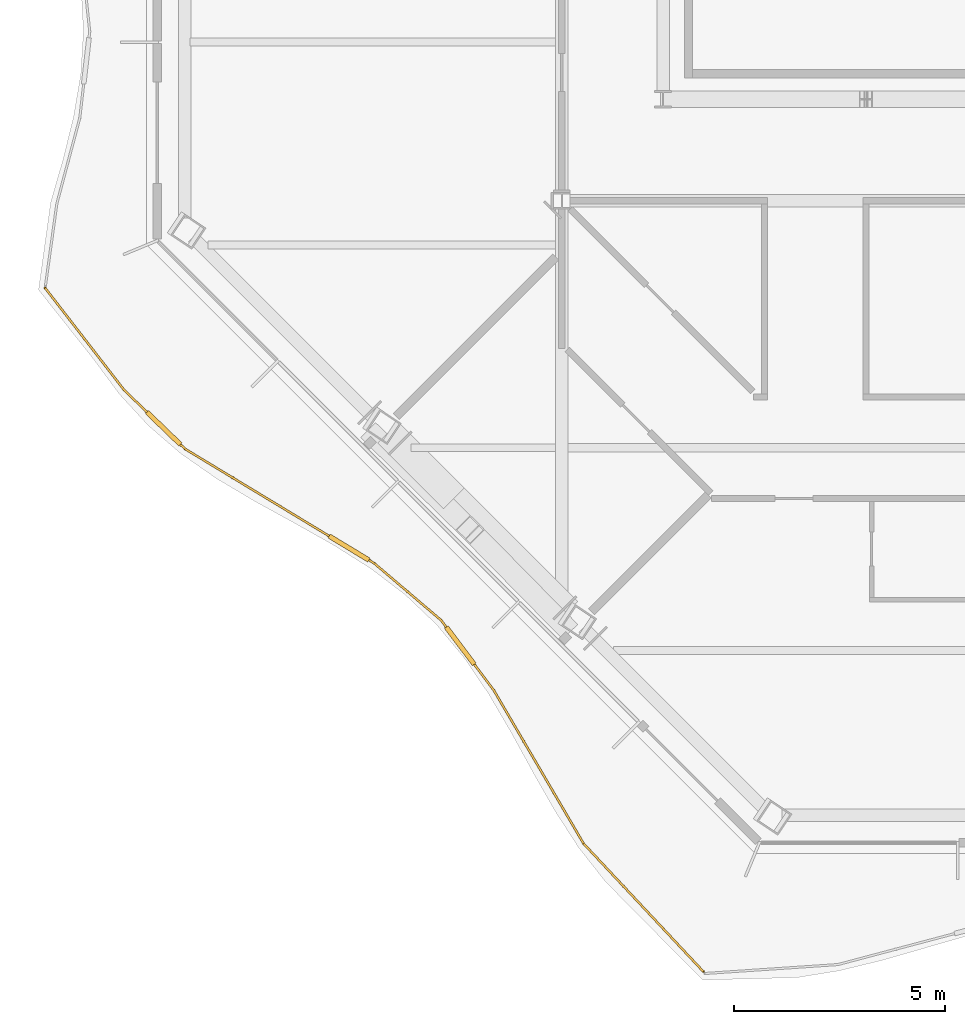
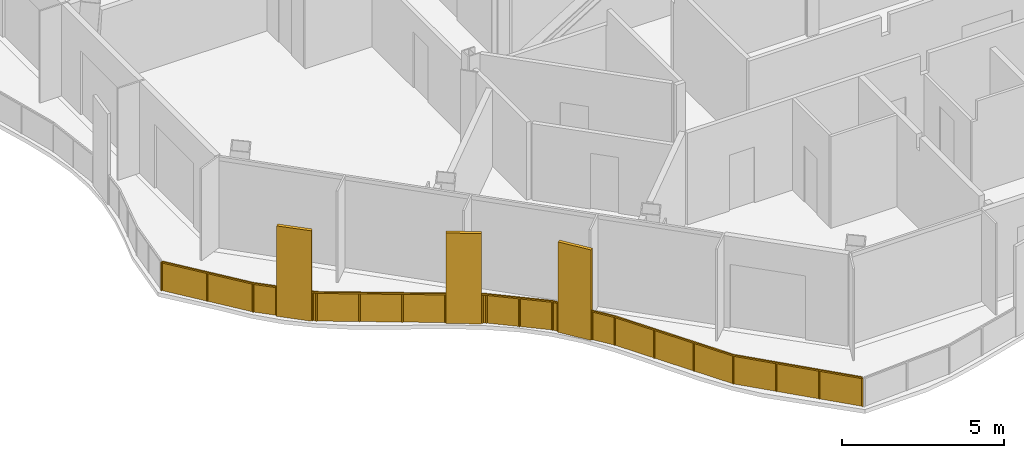
# One storey, part 14 of 19: 1 railing.
"""IFC4 building model written with IfcOpenShell, lengths in metres."""

import ifcopenshell
import ifcopenshell.guid

model = None  # the IFC model being written
_history = None  # IfcOwnerHistory: only IFC2X3 demands one
_inside = {}  # id of a spatial element -> (the spatial element, [elements in it])
_under = {}  # id of a project, library or spatial element -> (it, [spatial elements below it])
_declared = {}  # id of a project -> (the project, [libraries it declares])
_typed = {}  # id of a type object -> (the type object, [elements of that type])
_made_of = {}  # id of a material, layer set ... -> (it, [elements and type objects made of it])


def new_model(schema):
    """Start an empty IFC model of exactly this schema.

    Asked for "IFC4X3", IfcOpenShell would pick the latest addendum, in which some entities
    have other attributes; the version numbers below select the first issue.
    IFC2X3 requires an IfcOwnerHistory on every rooted entity: one is made here for all.
    """
    global model, _history
    if schema == "IFC4X3":
        model = ifcopenshell.file(schema_version=(4, 3, 0, 0))
    else:
        model = ifcopenshell.file(schema=schema)
    _inside.clear()
    _under.clear()
    _declared.clear()
    _typed.clear()
    _made_of.clear()
    _history = None
    if model.schema == "IFC2X3":
        org = make("IfcOrganization", Name="unknown")
        user = make(
            "IfcPersonAndOrganization",
            ThePerson=make("IfcPerson", FamilyName="unknown"),
            TheOrganization=org,
        )
        app = make(
            "IfcApplication",
            ApplicationDeveloper=org,
            Version="unknown",
            ApplicationFullName="unknown",
            ApplicationIdentifier="unknown",
        )
        _history = make(
            "IfcOwnerHistory",
            OwningUser=user,
            OwningApplication=app,
            ChangeAction="ADDED",
            CreationDate=0,
        )
    return model


def make(cls, **values):
    """One entity of the class cls with the attributes given. An attribute that is None is left unset."""
    return model.create_entity(
        cls, **{name: value for name, value in values.items() if value is not None}
    )


def rooted(cls, **values):
    """An entity with a GlobalId (a new one), such as an element, a storey or a relation."""
    return make(cls, GlobalId=ifcopenshell.guid.new(), OwnerHistory=_history, **values)


def si_unit(unit_type, name, prefix=None):
    """IfcSIUnit, for example si_unit("LENGTHUNIT", "METRE", prefix="MILLI")."""
    return make("IfcSIUnit", UnitType=unit_type, Prefix=prefix, Name=name)


def assignment(units):
    """IfcUnitAssignment: the units of a project."""
    return None if units is None else make("IfcUnitAssignment", Units=units)


def point(xyz):
    """IfcCartesianPoint."""
    return None if xyz is None else make("IfcCartesianPoint", Coordinates=xyz)


def direction(xyz):
    """IfcDirection."""
    return None if xyz is None else make("IfcDirection", DirectionRatios=xyz)


def frame(location, z_axis=None, x_axis=None):
    """IfcAxis2Placement3D, a coordinate frame: its origin and axes. An axis left out is left unset."""
    return make(
        "IfcAxis2Placement3D",
        Location=point(location),
        Axis=direction(z_axis),
        RefDirection=direction(x_axis),
    )


def frame_2d(location, x_axis=None):
    """IfcAxis2Placement2D, a coordinate frame in the plane: its origin and x axis."""
    return make(
        "IfcAxis2Placement2D", Location=point(location), RefDirection=direction(x_axis)
    )


def origin():
    """The frame at (0, 0, 0) with its axes left unset."""
    return frame((0.0, 0.0, 0.0))


def origin_2d():
    """The frame at (0, 0) in the plane with its x axis left unset."""
    return frame_2d((0.0, 0.0))


def place(relative_to, where):
    """IfcLocalPlacement: puts the frame where relative to a parent placement (None: the world)."""
    return make(
        "IfcLocalPlacement", PlacementRelTo=relative_to, RelativePlacement=where
    )


def context(
    kind, dimensions, precision=None, world=None, true_north=None, identifier=None
):
    """IfcGeometricRepresentationContext, for example the 3D "Model" context."""
    return make(
        "IfcGeometricRepresentationContext",
        ContextIdentifier=identifier,
        ContextType=kind,
        CoordinateSpaceDimension=dimensions,
        Precision=precision,
        WorldCoordinateSystem=world,
        TrueNorth=true_north,
    )


def subcontext(parent, identifier, kind, view, scale=None):
    """IfcGeometricRepresentationSubContext, for example "Body" below "Model"."""
    return make(
        "IfcGeometricRepresentationSubContext",
        ContextIdentifier=identifier,
        ContextType=kind,
        ParentContext=parent,
        TargetScale=scale,
        TargetView=view,
    )


def project(units=None, contexts=None):
    """IfcProject with its units and contexts."""
    return rooted(
        "IfcProject",
        Name="project",
        RepresentationContexts=contexts,
        UnitsInContext=assignment(units),
    )


def spatial(cls, under=None, at=None, **own):
    """A site, building, storey or space (cls), placed at a placement, below another one or the project."""
    s = rooted(cls, ObjectPlacement=at, **own)
    if under is not None:
        _under.setdefault(under.id(), (under, []))[1].append(s)
    return s


def polyline(points):
    """IfcPolyline through the points."""
    return make("IfcPolyline", Points=[point(p) for p in points])


def profile(cls, at=None, kind="AREA", **sizes):
    """A parametric profile (cls). Its sizes go by their IFC names, for example OverallWidth=200.0."""
    return make(cls, ProfileType=kind, Position=at, **sizes)


def rectangle(**sizes):
    """IfcRectangleProfileDef."""
    return profile("IfcRectangleProfileDef", **sizes)


def outline(outer, holes=None, kind="AREA"):
    """IfcArbitraryClosedProfileDef: a profile drawn as a closed curve; with holes, ...WithVoids."""
    if holes is None:
        return make("IfcArbitraryClosedProfileDef", ProfileType=kind, OuterCurve=outer)
    return make(
        "IfcArbitraryProfileDefWithVoids",
        ProfileType=kind,
        OuterCurve=outer,
        InnerCurves=holes,
    )


def extrude(swept, where, along, depth):
    """IfcExtrudedAreaSolid: the profile swept, set in the frame where, extruded along a direction by depth."""
    return make(
        "IfcExtrudedAreaSolid",
        SweptArea=swept,
        Position=where,
        ExtrudedDirection=direction(along),
        Depth=depth,
    )


def shape(context_of_items, identifier, shape_type, items):
    """IfcShapeRepresentation: the items that make up one representation, for example the "Body"."""
    return make(
        "IfcShapeRepresentation",
        ContextOfItems=context_of_items,
        RepresentationIdentifier=identifier,
        RepresentationType=shape_type,
        Items=items,
    )


def material(Name=None, Category=None):
    """IfcMaterial."""
    return make("IfcMaterial", Name=Name, Category=Category)


def made_of(thing, what):
    """Note that an element or type object is made of a material, layer set ...; save() writes the relation."""
    if what is not None:
        _made_of.setdefault(what.id(), (what, []))[1].append(thing)
    return thing


def type_object(cls, material=None, **own):
    """A type object (cls), such as IfcWallType, which elements share."""
    return made_of(rooted(cls, **own), material)


def element(
    cls,
    number,
    at=None,
    inside=None,
    cuts=None,
    type_object=None,
    material=None,
    context=None,
    identifier="Body",
    shape_type=None,
    held_by="IfcProductDefinitionShape",
    body=None,
    shapes=None,
    **own,
):
    """One element of the class cls, such as IfcWall. Its Tag is "e" and its number.

    at: its placement. inside: the storey or other place that contains it. cuts: it is an
    opening in that element (IfcRelVoidsElement). A single representation is given by context,
    identifier, shape_type and body (its items); several are given by shapes. held_by: the class
    of the entity that holds the representations. save() writes the other relations.
    """
    e = rooted(cls, Tag="e%d" % number, ObjectPlacement=at, **own)
    if body is not None:
        shapes = [shape(context, identifier, shape_type, body)]
    if shapes is not None:
        e.Representation = make(held_by, Representations=shapes)
    if inside is not None:
        _inside.setdefault(inside.id(), (inside, []))[1].append(e)
    if cuts is not None:
        rooted(
            "IfcRelVoidsElement", RelatingBuildingElement=cuts, RelatedOpeningElement=e
        )
    if type_object is not None:
        _typed.setdefault(type_object.id(), (type_object, []))[1].append(e)
    return made_of(e, material)


def aggregate(whole, parts):
    """IfcRelAggregates: a whole, such as a stair, and the parts it consists of."""
    return rooted("IfcRelAggregates", RelatingObject=whole, RelatedObjects=parts)


def save(model, path):
    """Write the relations noted so far, then the file.

    IfcRelAggregates (storeys below a building ...), IfcRelContainedInSpatialStructure (elements
    in a storey), IfcRelDefinesByType, IfcRelAssociatesMaterial and IfcRelDeclares: one each for
    every whole, place, type object, material and project.
    """
    for whole, parts in _under.values():
        aggregate(whole, parts)
    for where, things in _inside.values():
        rooted(
            "IfcRelContainedInSpatialStructure",
            RelatedElements=things,
            RelatingStructure=where,
        )
    for kind, things in _typed.values():
        rooted("IfcRelDefinesByType", RelatedObjects=things, RelatingType=kind)
    for what, things in _made_of.values():
        rooted("IfcRelAssociatesMaterial", RelatedObjects=things, RelatingMaterial=what)
    for by, libraries in _declared.values():
        rooted("IfcRelDeclares", RelatingContext=by, RelatedDefinitions=libraries)
    model.write(path)


model = new_model("IFC4")

# Units and contexts
model_context = context("Model", 3, precision=1e-05, world=origin(), true_north=direction((0.0, 1.0)))
body_context = subcontext(model_context, "Body", "Model", "MODEL_VIEW")
ifc_project = project(units=[si_unit("LENGTHUNIT", "METRE"), si_unit("AREAUNIT", "SQUARE_METRE"), si_unit("VOLUMEUNIT", "CUBIC_METRE"), si_unit("PLANEANGLEUNIT", "RADIAN"), si_unit("MASSUNIT", "GRAM", prefix="KILO")], contexts=[model_context])

# Site, building, storey
site_placement = place(None, origin())
site = spatial("IfcSite", under=ifc_project, at=site_placement, CompositionType="ELEMENT")
building_placement = place(site_placement, origin())
building = spatial("IfcBuilding", under=site, at=building_placement, Name="Cairn Pilgrim Tower", CompositionType="ELEMENT")
storey_placement = place(building_placement, frame((0.0, 0.0, 197.39990234375)))
storey = spatial("IfcBuildingStorey", under=building, at=storey_placement, Name="L50", CompositionType="ELEMENT", Elevation=197.39990234375)

# Railing
ifc_material = material(Name="Bronze anodised aluminium rail, posts and fin screens with laminated glass infill", Category="aluminium")
railing_type = type_object("IfcRailingType", Name="BALCONY GUARD WITH FIN SCREENS", PredefinedType="GUARDRAIL", material=ifc_material)
railing_placement = place(storey_placement, frame((-17.030029296875, -10.469482421875, 0.0)))
element("IfcRailing", 1, at=railing_placement, inside=storey, type_object=railing_type, Name="Balcony guard BGF-8 with fin screens", PredefinedType="GUARDRAIL", context=body_context, shape_type="SweptSolid", body=[
    extrude(rectangle(XDim=0.050048828125, YDim=0.050048828125, at=origin_2d()), frame((0.0, 0.0, 1.0751953125), z_axis=(0.612165117841, -0.790729959278, 0.0), x_axis=(0.790729959278, 0.612165117841, 0.0)), (0.0, 0.0, 1.0), 3.048828125),
    extrude(rectangle(XDim=1.10009765625, YDim=0.110107421875, at=origin_2d()), frame((2.807373046875, -3.321044921875, 0.0), z_axis=(0.0, 0.0, 1.0), x_axis=(0.718796050973, -0.695220998752, 0.0)), (0.0, 0.0, 1.0), 3.39990234375),
    extrude(rectangle(XDim=0.050048828125, YDim=0.050048828125, at=origin_2d()), frame((1.866455078125, -2.410888671875, 1.0751953125), z_axis=(0.718796050973, -0.695220998752, 0.0), x_axis=(0.695220998752, 0.718796050973, 0.0)), (0.0, 0.0, 1.0), 0.759033203125),
    extrude(rectangle(XDim=0.050048828125, YDim=0.050048828125, at=origin_2d()), frame((3.20263671875, -3.703369140625, 1.0751953125), z_axis=(0.718796050973, -0.695220998752, 0.0), x_axis=(0.695220998752, 0.718796050973, 0.0)), (0.0, 0.0, 1.0), 0.14990234375),
    extrude(rectangle(XDim=1.10009765625, YDim=0.110107421875, at=origin_2d()), frame((7.194091796875, -6.15625, 0.0), z_axis=(0.0, 0.0, 1.0), x_axis=(0.855698868004, -0.51747410302, 0.0)), (0.0, 0.0, 1.0), 3.39990234375),
    extrude(rectangle(XDim=0.050048828125, YDim=0.050048828125, at=origin_2d()), frame((3.310546875, -3.8076171875, 1.0751953125), z_axis=(0.855698868004, -0.51747410302, 0.0), x_axis=(0.51747410302, 0.855698868004, 0.0)), (0.0, 0.0, 1.0), 3.988525390625),
    extrude(rectangle(XDim=0.050048828125, YDim=0.050048828125, at=origin_2d()), frame((7.664794921875, -6.440673828125, 1.0751953125), z_axis=(0.855698868004, -0.51747410302, 0.0), x_axis=(0.51747410302, 0.855698868004, 0.0)), (0.0, 0.0, 1.0), 0.14990234375),
    extrude(rectangle(XDim=0.050048828125, YDim=0.050048828125, at=origin_2d()), frame((7.79296875, -6.518310546875, 1.0751953125), z_axis=(0.761456474412, -0.648216042362, 0.0), x_axis=(0.648216042362, 0.761456474412, 0.0)), (0.0, 0.0, 1.0), 2.07177734375),
    extrude(rectangle(XDim=1.10009765625, YDim=0.110107421875, at=origin_2d()), frame((9.82666015625, -8.467529296875, 0.0), z_axis=(0.0, 0.0, 1.0), x_axis=(0.601181304876, -0.799112657056, 0.0)), (0.0, 0.0, 1.0), 3.39990234375),
    extrude(rectangle(XDim=0.050048828125, YDim=0.050048828125, at=origin_2d()), frame((9.37060546875, -7.861328125, 1.0751953125), z_axis=(0.601181304876, -0.799112657056, 0.0), x_axis=(0.799112657056, 0.601181304876, 0.0)), (0.0, 0.0, 1.0), 0.208740234375),
    extrude(rectangle(XDim=0.050048828125, YDim=0.050048828125, at=origin_2d()), frame((10.157470703125, -8.9072265625, 1.0751953125), z_axis=(0.601181304876, -0.799112657056, 0.0), x_axis=(0.799112657056, 0.601181304876, 0.0)), (0.0, 0.0, 1.0), 0.7734375),
    extrude(rectangle(XDim=0.050048828125, YDim=0.050048828125, at=origin_2d()), frame((10.622314453125, -9.525146484375, 1.0751953125), z_axis=(0.505297418711, -0.862945258197, 0.0), x_axis=(0.862945258197, 0.505297418711, 0.0)), (0.0, 0.0, 1.0), 4.20166015625),
    extrude(rectangle(XDim=0.050048828125, YDim=0.050048828125, at=origin_2d()), frame((12.745361328125, -13.15087890625, 1.0751953125), z_axis=(0.683285589694, -0.730151219211, 0.0), x_axis=(0.730151219211, 0.683285589694, 0.0)), (0.0, 0.0, 1.0), 4.15185546875),
    extrude(rectangle(XDim=0.050048828125, YDim=0.050048828125, at=origin_2d()), origin(), (0.0, 0.0, 1.0), 1.050048828125),
    extrude(rectangle(XDim=0.050048828125, YDim=0.050048828125, at=origin_2d()), frame((0.93310546875, -1.20556640625, 0.0)), (0.0, 0.0, 1.0), 1.050048828125),
    extrude(rectangle(XDim=0.050048828125, YDim=0.050048828125, at=origin_2d()), frame((1.866455078125, -2.410888671875, 0.0)), (0.0, 0.0, 1.0), 1.050048828125),
    extrude(rectangle(XDim=0.050048828125, YDim=0.050048828125, at=origin_2d()), frame((2.39404296875, -2.921142578125, 0.0)), (0.0, 0.0, 1.0), 1.050048828125),
    extrude(rectangle(XDim=0.050048828125, YDim=0.050048828125, at=origin_2d()), frame((3.220703125, -3.720703125, 0.0)), (0.0, 0.0, 1.0), 1.050048828125),
    extrude(rectangle(XDim=0.050048828125, YDim=0.050048828125, at=origin_2d()), frame((3.310546875, -3.8076171875, 0.0)), (0.0, 0.0, 1.0), 1.050048828125),
    extrude(rectangle(XDim=0.050048828125, YDim=0.050048828125, at=origin_2d()), frame((4.441162109375, -4.4912109375, 0.0)), (0.0, 0.0, 1.0), 1.050048828125),
    extrude(rectangle(XDim=0.050048828125, YDim=0.050048828125, at=origin_2d()), frame((5.571533203125, -5.175048828125, 0.0)), (0.0, 0.0, 1.0), 1.050048828125),
    extrude(rectangle(XDim=0.050048828125, YDim=0.050048828125, at=origin_2d()), frame((6.7021484375, -5.858642578125, 0.0)), (0.0, 0.0, 1.0), 1.050048828125),
    extrude(rectangle(XDim=0.050048828125, YDim=0.050048828125, at=origin_2d()), frame((7.686279296875, -6.453857421875, 0.0)), (0.0, 0.0, 1.0), 1.050048828125),
    extrude(rectangle(XDim=0.050048828125, YDim=0.050048828125, at=origin_2d()), frame((7.79296875, -6.518310546875, 0.0)), (0.0, 0.0, 1.0), 1.050048828125),
    extrude(rectangle(XDim=0.050048828125, YDim=0.050048828125, at=origin_2d()), frame((8.581787109375, -7.18994140625, 0.0)), (0.0, 0.0, 1.0), 1.050048828125),
    extrude(rectangle(XDim=0.050048828125, YDim=0.050048828125, at=origin_2d()), frame((9.37060546875, -7.861328125, 0.0)), (0.0, 0.0, 1.0), 1.050048828125),
    extrude(rectangle(XDim=0.050048828125, YDim=0.050048828125, at=origin_2d()), frame((9.48095703125, -8.008056640625, 0.0)), (0.0, 0.0, 1.0), 1.050048828125),
    extrude(rectangle(XDim=0.050048828125, YDim=0.050048828125, at=origin_2d()), frame((10.17236328125, -8.92724609375, 0.0)), (0.0, 0.0, 1.0), 1.050048828125),
    extrude(rectangle(XDim=0.050048828125, YDim=0.050048828125, at=origin_2d()), frame((10.622314453125, -9.525146484375, 0.0)), (0.0, 0.0, 1.0), 1.050048828125),
    extrude(rectangle(XDim=0.050048828125, YDim=0.050048828125, at=origin_2d()), frame((11.330078125, -10.733642578125, 0.0)), (0.0, 0.0, 1.0), 1.050048828125),
    extrude(rectangle(XDim=0.050048828125, YDim=0.050048828125, at=origin_2d()), frame((12.03759765625, -11.9423828125, 0.0)), (0.0, 0.0, 1.0), 1.050048828125),
    extrude(rectangle(XDim=0.050048828125, YDim=0.050048828125, at=origin_2d()), frame((12.745361328125, -13.15087890625, 0.0)), (0.0, 0.0, 1.0), 1.050048828125),
    extrude(rectangle(XDim=0.050048828125, YDim=0.050048828125, at=origin_2d()), frame((13.69091796875, -14.161376953125, 0.0)), (0.0, 0.0, 1.0), 1.050048828125),
    extrude(rectangle(XDim=0.050048828125, YDim=0.050048828125, at=origin_2d()), frame((14.63671875, -15.171875, 0.0)), (0.0, 0.0, 1.0), 1.050048828125),
    extrude(rectangle(XDim=0.050048828125, YDim=0.050048828125, at=origin_2d()), frame((15.582275390625, -16.182373046875, 0.0)), (0.0, 0.0, 1.0), 1.050048828125),
    extrude(outline(polyline([(0.02490234375, 0.0), (1.49951171875, 0.0), (1.49951171875, 1.050048828125), (0.02490234375, 1.050048828125), (0.02490234375, 0.0)])), frame((0.004638671875, 0.003662109375, 0.0), z_axis=(-0.790729959278, -0.612165117841, 0.0), x_axis=(0.612165117841, -0.790729959278, 0.0)), (0.0, 0.0, 1.0), 0.011962890625),
    extrude(outline(polyline([(0.02490234375, 0.0), (1.49951171875, 0.0), (1.49951171875, 1.050048828125), (0.02490234375, 1.050048828125), (0.02490234375, 0.0)])), frame((0.93798828125, -1.201904296875, 0.0), z_axis=(-0.790729959278, -0.612165117841, 0.0), x_axis=(0.612165117841, -0.790729959278, 0.0)), (0.0, 0.0, 1.0), 0.011962890625),
    extrude(outline(polyline([(0.02490234375, 0.0), (0.708984375, 0.0), (0.708984375, 1.050048828125), (0.02490234375, 1.050048828125), (0.02490234375, 0.0)])), frame((1.87060546875, -2.406494140625, 0.0), z_axis=(-0.695220998752, -0.718796050973, 0.0), x_axis=(0.718796050973, -0.695220998752, 0.0)), (0.0, 0.0, 1.0), 0.011962890625),
    extrude(outline(polyline([(0.02490234375, 0.0), (0.099853515625, 0.0), (0.099853515625, 1.050048828125), (0.02490234375, 1.050048828125), (0.02490234375, 0.0)])), frame((3.224853515625, -3.716552734375, 0.0), z_axis=(-0.695220998752, -0.718796050973, 0.0), x_axis=(0.718796050973, -0.695220998752, 0.0)), (0.0, 0.0, 1.0), 0.011962890625),
    extrude(outline(polyline([(0.02490234375, 0.0), (1.296142578125, 0.0), (1.296142578125, 1.050048828125), (0.02490234375, 1.050048828125), (0.02490234375, 0.0)])), frame((3.313720703125, -3.802490234375, 0.0), z_axis=(-0.51747410302, -0.855698868004, 0.0), x_axis=(0.855698868004, -0.51747410302, 0.0)), (0.0, 0.0, 1.0), 0.011962890625),
    extrude(outline(polyline([(0.02490234375, 0.0), (1.296142578125, 0.0), (1.296142578125, 1.050048828125), (0.02490234375, 1.050048828125), (0.02490234375, 0.0)])), frame((4.444091796875, -4.486083984375, 0.0), z_axis=(-0.51747410302, -0.855698868004, 0.0), x_axis=(0.855698868004, -0.51747410302, 0.0)), (0.0, 0.0, 1.0), 0.011962890625),
    extrude(outline(polyline([(0.02490234375, 0.0), (1.296142578125, 0.0), (1.296142578125, 1.050048828125), (0.02490234375, 1.050048828125), (0.02490234375, 0.0)])), frame((5.57470703125, -5.169921875, 0.0), z_axis=(-0.51747410302, -0.855698868004, 0.0), x_axis=(0.855698868004, -0.51747410302, 0.0)), (0.0, 0.0, 1.0), 0.011962890625),
    extrude(outline(polyline([(0.02490234375, 0.0), (0.099853515625, 0.0), (0.099853515625, 1.050048828125), (0.02490234375, 1.050048828125), (0.02490234375, 0.0)])), frame((7.689208984375, -6.44873046875, 0.0), z_axis=(-0.51747410302, -0.855698868004, 0.0), x_axis=(0.855698868004, -0.51747410302, 0.0)), (0.0, 0.0, 1.0), 0.011962890625),
    extrude(outline(polyline([(0.02490234375, 0.0), (1.010986328125, 0.0), (1.010986328125, 1.050048828125), (0.02490234375, 1.050048828125), (0.02490234375, 0.0)])), frame((7.796875, -6.513671875, 0.0), z_axis=(-0.648216042362, -0.761456474412, 0.0), x_axis=(0.761456474412, -0.648216042362, 0.0)), (0.0, 0.0, 1.0), 0.011962890625),
    extrude(outline(polyline([(0.02490234375, 0.0), (1.010986328125, 0.0), (1.010986328125, 1.050048828125), (0.02490234375, 1.050048828125), (0.02490234375, 0.0)])), frame((8.585693359375, -7.185302734375, 0.0), z_axis=(-0.648216042362, -0.761456474412, 0.0), x_axis=(0.761456474412, -0.648216042362, 0.0)), (0.0, 0.0, 1.0), 0.011962890625),
    extrude(outline(polyline([(0.02490234375, 0.0), (0.15869140625, 0.0), (0.15869140625, 1.050048828125), (0.02490234375, 1.050048828125), (0.02490234375, 0.0)])), frame((9.37548828125, -7.857666015625, 0.0), z_axis=(-0.799112657056, -0.601181304876, 0.0), x_axis=(0.601181304876, -0.799112657056, 0.0)), (0.0, 0.0, 1.0), 0.011962890625),
    extrude(outline(polyline([(0.02490234375, 0.0), (0.723388671875, 0.0), (0.723388671875, 1.050048828125), (0.02490234375, 1.050048828125), (0.02490234375, 0.0)])), frame((10.17724609375, -8.923583984375, 0.0), z_axis=(-0.799112657056, -0.601181304876, 0.0), x_axis=(0.601181304876, -0.799112657056, 0.0)), (0.0, 0.0, 1.0), 0.011962890625),
    extrude(outline(polyline([(0.02490234375, 0.0), (1.37548828125, 0.0), (1.37548828125, 1.050048828125), (0.02490234375, 1.050048828125), (0.02490234375, 0.0)])), frame((10.62744140625, -9.522216796875, 0.0), z_axis=(-0.862945258197, -0.505297418711, 0.0), x_axis=(0.505297418711, -0.862945258197, 0.0)), (0.0, 0.0, 1.0), 0.011962890625),
    extrude(outline(polyline([(0.02490234375, 0.0), (1.37548828125, 0.0), (1.37548828125, 1.050048828125), (0.02490234375, 1.050048828125), (0.02490234375, 0.0)])), frame((11.335205078125, -10.730712890625, 0.0), z_axis=(-0.862945258197, -0.505297418711, 0.0), x_axis=(0.505297418711, -0.862945258197, 0.0)), (0.0, 0.0, 1.0), 0.011962890625),
    extrude(outline(polyline([(0.02490234375, 0.0), (1.37548828125, 0.0), (1.37548828125, 1.050048828125), (0.02490234375, 1.050048828125), (0.02490234375, 0.0)])), frame((12.042724609375, -11.939208984375, 0.0), z_axis=(-0.862945258197, -0.505297418711, 0.0), x_axis=(0.505297418711, -0.862945258197, 0.0)), (0.0, 0.0, 1.0), 0.011962890625),
    extrude(outline(polyline([(0.02490234375, 0.0), (1.35888671875, 0.0), (1.35888671875, 1.050048828125), (0.02490234375, 1.050048828125), (0.02490234375, 0.0)])), frame((12.749755859375, -13.146728515625, 0.0), z_axis=(-0.730151219211, -0.683285589694, 0.0), x_axis=(0.683285589694, -0.730151219211, 0.0)), (0.0, 0.0, 1.0), 0.011962890625),
    extrude(outline(polyline([(0.02490234375, 0.0), (1.35888671875, 0.0), (1.35888671875, 1.050048828125), (0.02490234375, 1.050048828125), (0.02490234375, 0.0)])), frame((13.6953125, -14.1572265625, 0.0), z_axis=(-0.730151219211, -0.683285589694, 0.0), x_axis=(0.683285589694, -0.730151219211, 0.0)), (0.0, 0.0, 1.0), 0.011962890625),
    extrude(outline(polyline([(0.02490234375, 0.0), (1.35888671875, 0.0), (1.35888671875, 1.050048828125), (0.02490234375, 1.050048828125), (0.02490234375, 0.0)])), frame((14.64111328125, -15.167724609375, 0.0), z_axis=(-0.730151219211, -0.683285589694, 0.0), x_axis=(0.683285589694, -0.730151219211, 0.0)), (0.0, 0.0, 1.0), 0.011962890625),
])

save(model, "model.ifc")
